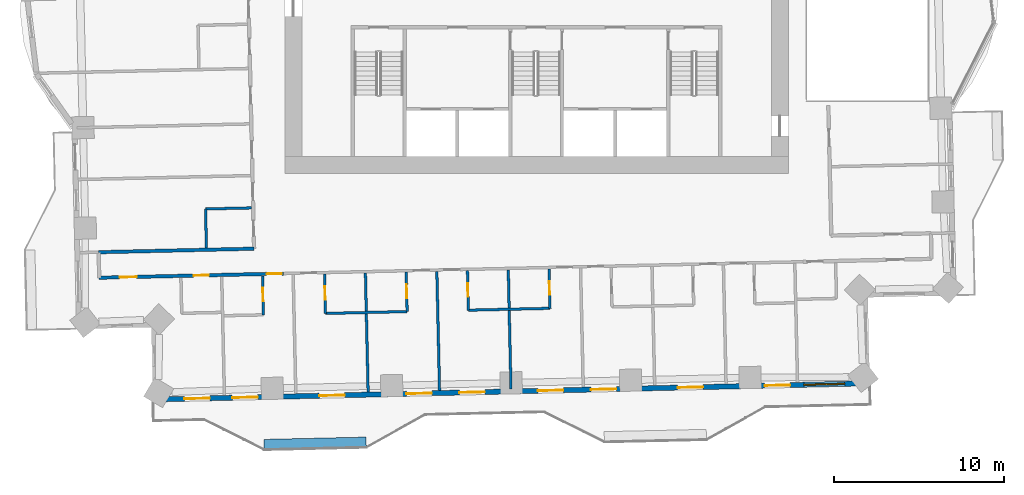
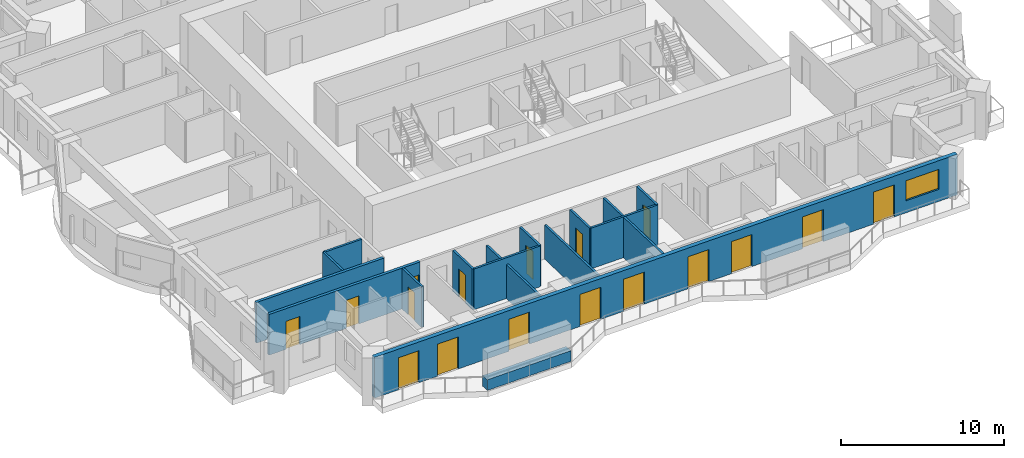
# One storey, part 6 of 16: 17 doors, 16 walls, 1 window, 18 openings.
"""IFC4 building model written with IfcOpenShell, lengths in metres."""

from ifc_helpers import new_model, si_unit, direction, frame, frame_2d, origin, place, context, subcontext, project, spatial, rectangle, extrude, material, layer, layer_set, type_object, element, fill, save


model = new_model("IFC4")

# Units and contexts
model_context = context("Model", 3, precision=1e-05, world=origin(), true_north=direction((0.0, 1.0)))
body_context = subcontext(model_context, "Body", "Model", "MODEL_VIEW")
ifc_project = project(units=[si_unit("LENGTHUNIT", "METRE"), si_unit("AREAUNIT", "SQUARE_METRE"), si_unit("VOLUMEUNIT", "CUBIC_METRE"), si_unit("PLANEANGLEUNIT", "RADIAN"), si_unit("MASSUNIT", "GRAM", prefix="KILO")], contexts=[model_context])

# Site, building, storey
site_placement = place(None, origin())
site = spatial("IfcSite", under=ifc_project, at=site_placement, CompositionType="ELEMENT")
building_placement = place(site_placement, origin())
building = spatial("IfcBuilding", under=site, at=building_placement, Name="Mangrove Gate Tower", CompositionType="ELEMENT")
storey_placement = place(building_placement, frame((0.0, 0.0, 133.699951171875)))
storey = spatial("IfcBuildingStorey", under=building, at=storey_placement, Name="L33", CompositionType="ELEMENT", Elevation=133.699951171875)

# Wall, openings, doors
ifc_material_1 = material(Name="Gypsum board on steel stud, EI 60", Category="steel")
ifc_layer_1 = layer(ifc_material_1, 0.199951171875)
ifc_layer_set_1 = layer_set([ifc_layer_1], Name="Corridor wall EI 60")
wall_type_1 = type_object("IfcWallType", Name="Corridor wall EI 60", PredefinedType="PARTITIONING", material=ifc_layer_set_1)
wall_1_placement = place(storey_placement, frame((-25.708984375, -17.9208984375, 0.0), z_axis=(0.0, 0.0, 1.0), x_axis=(0.999742764922, 0.022680475901, 0.0)))
wall_1 = element("IfcWall", 1, at=wall_1_placement, inside=storey, type_object=wall_type_1, Name="WALL-L33-029", PredefinedType="PARTITIONING", context=body_context, shape_type="SweptSolid", body=[
    extrude(rectangle(XDim=10.839599609375, YDim=0.199951171875, at=frame_2d((5.419921875, 0.0))), origin(), (0.0, 0.0, 1.0), 3.050048828125),
])
opening_1_placement = place(wall_1_placement, frame((1.199951171875, 0.0, 0.0)))
opening_1 = element("IfcOpeningElement", 2, at=opening_1_placement, cuts=wall_1, Name="Opening AD", PredefinedType="OPENING", context=body_context, shape_type="SweptSolid", body=[
    extrude(rectangle(XDim=1.0, YDim=2.10009765625, at=frame_2d((0.5, 1.050048828125))), frame((0.0, 0.10986328125, 0.0), z_axis=(0.0, -1.0, 0.0), x_axis=(1.0, 0.0, 0.0)), (0.0, 0.0, 1.0), 0.219970703125),
])
opening_2_placement = place(wall_1_placement, frame((5.550048828125, 0.0, 0.0)))
opening_2 = element("IfcOpeningElement", 3, at=opening_2_placement, cuts=wall_1, Name="Opening SD", PredefinedType="OPENING", context=body_context, shape_type="SweptSolid", body=[
    extrude(rectangle(XDim=0.89990234375, YDim=2.10009765625, at=frame_2d((0.449951171875, 1.050048828125))), frame((0.0, 0.10986328125, 0.0), z_axis=(0.0, -1.0, 0.0), x_axis=(1.0, 0.0, 0.0)), (0.0, 0.0, 1.0), 0.219970703125),
])
opening_3_placement = place(wall_1_placement, frame((9.840087890625, 0.0, 0.0)))
opening_3 = element("IfcOpeningElement", 4, at=opening_3_placement, cuts=wall_1, Name="Opening BD", PredefinedType="OPENING", context=body_context, shape_type="SweptSolid", body=[
    extrude(rectangle(XDim=0.89990234375, YDim=2.10009765625, at=frame_2d((0.449951171875, 1.050048828125))), frame((0.0, 0.10986328125, 0.0), z_axis=(0.0, -1.0, 0.0), x_axis=(1.0, 0.0, 0.0)), (0.0, 0.0, 1.0), 0.219970703125),
])
ifc_material_2 = material(Name="Timber door leaf", Category="wood")
door_type_1 = type_object("IfcDoorType", Name="Amenity door 1000", OperationType="SINGLE_SWING_LEFT", PredefinedType="DOOR", material=ifc_material_2)
door_1_placement = place(opening_1_placement, origin())
door_1 = element("IfcDoor", 5, at=door_1_placement, inside=storey, type_object=door_type_1, Name="DOOR-L33-STU-c1a", OperationType="SINGLE_SWING_LEFT", OverallHeight=2.10009765625, OverallWidth=1.0, PredefinedType="DOOR", context=body_context, shape_type="SweptSolid", body=[
    extrude(rectangle(XDim=1.0, YDim=2.10009765625, at=frame_2d((0.5, 1.050048828125))), frame((0.0, 0.02490234375, 0.0), z_axis=(0.0, -1.0, 0.0), x_axis=(1.0, 0.0, 0.0)), (0.0, 0.0, 1.0), 0.050048828125),
])
fill(opening_1, door_1)
ifc_material_3 = material(Name="Timber door leaf", Category="wood")
door_type_2 = type_object("IfcDoorType", Name="Bedroom door 900", OperationType="SINGLE_SWING_LEFT", PredefinedType="DOOR", material=ifc_material_3)
door_2_placement = place(opening_3_placement, origin())
door_2 = element("IfcDoor", 6, at=door_2_placement, inside=storey, type_object=door_type_2, Name="DOOR-L33-BED-c101", OperationType="SINGLE_SWING_LEFT", OverallHeight=2.10009765625, OverallWidth=0.89990234375, PredefinedType="DOOR", context=body_context, shape_type="SweptSolid", body=[
    extrude(rectangle(XDim=0.89990234375, YDim=2.10009765625, at=frame_2d((0.449951171875, 1.050048828125))), frame((0.0, 0.02490234375, 0.0), z_axis=(0.0, -1.0, 0.0), x_axis=(1.0, 0.0, 0.0)), (0.0, 0.0, 1.0), 0.050048828125),
])
fill(opening_3, door_2)
ifc_material_4 = material(Name="Timber door leaf", Category="wood")
door_type_3 = type_object("IfcDoorType", Name="Service room door 900", OperationType="SINGLE_SWING_LEFT", PredefinedType="DOOR", material=ifc_material_4)
door_3_placement = place(opening_2_placement, origin())
door_3 = element("IfcDoor", 7, at=door_3_placement, inside=storey, type_object=door_type_3, Name="DOOR-L33-LIN-c1a", OperationType="SINGLE_SWING_LEFT", OverallHeight=2.10009765625, OverallWidth=0.89990234375, PredefinedType="DOOR", context=body_context, shape_type="SweptSolid", body=[
    extrude(rectangle(XDim=0.89990234375, YDim=2.10009765625, at=frame_2d((0.449951171875, 1.050048828125))), frame((0.0, 0.02490234375, 0.0), z_axis=(0.0, -1.0, 0.0), x_axis=(1.0, 0.0, 0.0)), (0.0, 0.0, 1.0), 0.050048828125),
])
fill(opening_2, door_3)

# Wall
wall_2_placement = place(storey_placement, frame((-25.742919921875, -16.422119140625, 0.0), z_axis=(0.0, 0.0, 1.0), x_axis=(0.999741076645, 0.022754772455, 0.0)))
element("IfcWall", 8, at=wall_2_placement, inside=storey, type_object=wall_type_1, Name="WALL-L33-036", PredefinedType="PARTITIONING", context=body_context, shape_type="SweptSolid", body=[
    extrude(rectangle(XDim=9.141357421875, YDim=0.199951171875, at=frame_2d((4.57080078125, 0.0))), origin(), (0.0, 0.0, 1.0), 3.050048828125),
])

# Wall, openings, doors, window
ifc_material_5 = material(Name="Limestone", Category="masonry")
ifc_layer_2 = layer(ifc_material_5, 0.0400390625, Name="Limestone cladding")
ifc_material_6 = material(Name="Ventilated air gap")
ifc_layer_3 = layer(ifc_material_6, 0.0400390625, Name="Ventilated cavity")
ifc_material_7 = material(Name="Mineral wool insulation")
ifc_layer_4 = layer(ifc_material_7, 0.06005859375, Name="Insulation")
ifc_material_8 = material(Name="Breather membrane")
ifc_layer_5 = layer(ifc_material_8, 0.001953125, Name="Breather membrane")
ifc_material_9 = material(Name="Concrete C20/25 blockwork", Category="masonry")
ifc_layer_6 = layer(ifc_material_9, 0.14990234375, Name="Blockwork backing wall")
ifc_material_10 = material(Name="Gypsum plaster")
ifc_layer_7 = layer(ifc_material_10, 0.008056640625, Name="Internal plaster")
ifc_layer_set_2 = layer_set([ifc_layer_2, ifc_layer_3, ifc_layer_4, ifc_layer_5, ifc_layer_6, ifc_layer_7], Name="External wall 300 limestone cladding")
wall_type_2 = type_object("IfcWallType", Name="External wall 300 limestone cladding", PredefinedType="SOLIDWALL", material=ifc_layer_set_2)
wall_3_placement = place(storey_placement, frame((-22.39599609375, -25.077880859375, 0.0), z_axis=(0.0, 0.0, 1.0), x_axis=(0.99974279854, 0.022678993965, 0.0)))
wall_3 = element("IfcWall", 9, at=wall_3_placement, inside=storey, type_object=wall_type_2, Name="WALL-L33-S13", PredefinedType="SOLIDWALL", context=body_context, shape_type="SweptSolid", body=[
    extrude(rectangle(XDim=41.84375, YDim=0.300048828125, at=frame_2d((20.921875, 0.0))), origin(), (0.0, 0.0, 1.0), 3.050048828125),
])
opening_4_placement = place(wall_3_placement, frame((1.696044921875, 0.0, 0.0)))
opening_4 = element("IfcOpeningElement", 10, at=opening_4_placement, cuts=wall_3, Name="Opening BD1", PredefinedType="OPENING", context=body_context, shape_type="SweptSolid", body=[
    extrude(rectangle(XDim=1.5, YDim=2.39990234375, at=frame_2d((0.75, 1.199951171875))), frame((0.0, 0.159912109375, 0.0), z_axis=(0.0, -1.0, 0.0), x_axis=(1.0, 0.0, 0.0)), (0.0, 0.0, 1.0), 0.320068359375),
])
opening_5_placement = place(wall_3_placement, frame((4.511962890625, 0.0, 0.0)))
opening_5 = element("IfcOpeningElement", 11, at=opening_5_placement, cuts=wall_3, Name="Opening BD1", PredefinedType="OPENING", context=body_context, shape_type="SweptSolid", body=[
    extrude(rectangle(XDim=1.5, YDim=2.39990234375, at=frame_2d((0.75, 1.199951171875))), frame((0.0, 0.159912109375, 0.0), z_axis=(0.0, -1.0, 0.0), x_axis=(1.0, 0.0, 0.0)), (0.0, 0.0, 1.0), 0.320068359375),
])
opening_6_placement = place(wall_3_placement, frame((9.625, 0.0, 0.0)))
opening_6 = element("IfcOpeningElement", 12, at=opening_6_placement, cuts=wall_3, Name="Opening BD1", PredefinedType="OPENING", context=body_context, shape_type="SweptSolid", body=[
    extrude(rectangle(XDim=1.5, YDim=2.39990234375, at=frame_2d((0.75, 1.199951171875))), frame((0.0, 0.159912109375, 0.0), z_axis=(0.0, -1.0, 0.0), x_axis=(1.0, 0.0, 0.0)), (0.0, 0.0, 1.0), 0.320068359375),
])
opening_7_placement = place(wall_3_placement, frame((14.7490234375, 0.0, 0.0)))
opening_7 = element("IfcOpeningElement", 13, at=opening_7_placement, cuts=wall_3, Name="Opening BD1", PredefinedType="OPENING", context=body_context, shape_type="SweptSolid", body=[
    extrude(rectangle(XDim=1.5, YDim=2.39990234375, at=frame_2d((0.75, 1.199951171875))), frame((0.0, 0.159912109375, 0.0), z_axis=(0.0, -1.0, 0.0), x_axis=(1.0, 0.0, 0.0)), (0.0, 0.0, 1.0), 0.320068359375),
])
opening_8_placement = place(wall_3_placement, frame((17.861083984375, 0.0, 0.0)))
opening_8 = element("IfcOpeningElement", 14, at=opening_8_placement, cuts=wall_3, Name="Opening BD1", PredefinedType="OPENING", context=body_context, shape_type="SweptSolid", body=[
    extrude(rectangle(XDim=1.5, YDim=2.39990234375, at=frame_2d((0.75, 1.199951171875))), frame((0.0, 0.159912109375, 0.0), z_axis=(0.0, -1.0, 0.0), x_axis=(1.0, 0.0, 0.0)), (0.0, 0.0, 1.0), 0.320068359375),
])
opening_9_placement = place(wall_3_placement, frame((22.486083984375, 0.0, 0.0)))
opening_9 = element("IfcOpeningElement", 15, at=opening_9_placement, cuts=wall_3, Name="Opening BD1", PredefinedType="OPENING", context=body_context, shape_type="SweptSolid", body=[
    extrude(rectangle(XDim=1.5, YDim=2.39990234375, at=frame_2d((0.75, 1.199951171875))), frame((0.0, 0.159912109375, 0.0), z_axis=(0.0, -1.0, 0.0), x_axis=(1.0, 0.0, 0.0)), (0.0, 0.0, 1.0), 0.320068359375),
])
opening_10_placement = place(wall_3_placement, frame((25.597900390625, 0.0, 0.0)))
opening_10 = element("IfcOpeningElement", 16, at=opening_10_placement, cuts=wall_3, Name="Opening BD1", PredefinedType="OPENING", context=body_context, shape_type="SweptSolid", body=[
    extrude(rectangle(XDim=1.5, YDim=2.39990234375, at=frame_2d((0.75, 1.199951171875))), frame((0.0, 0.159912109375, 0.0), z_axis=(0.0, -1.0, 0.0), x_axis=(1.0, 0.0, 0.0)), (0.0, 0.0, 1.0), 0.320068359375),
])
opening_11_placement = place(wall_3_placement, frame((30.699951171875, 0.0, 0.0)))
opening_11 = element("IfcOpeningElement", 17, at=opening_11_placement, cuts=wall_3, Name="Opening BD1", PredefinedType="OPENING", context=body_context, shape_type="SweptSolid", body=[
    extrude(rectangle(XDim=1.5, YDim=2.39990234375, at=frame_2d((0.75, 1.199951171875))), frame((0.0, 0.159912109375, 0.0), z_axis=(0.0, -1.0, 0.0), x_axis=(1.0, 0.0, 0.0)), (0.0, 0.0, 1.0), 0.320068359375),
])
opening_12_placement = place(wall_3_placement, frame((35.81005859375, 0.0, 0.0)))
opening_12 = element("IfcOpeningElement", 18, at=opening_12_placement, cuts=wall_3, Name="Opening BD1", PredefinedType="OPENING", context=body_context, shape_type="SweptSolid", body=[
    extrude(rectangle(XDim=1.5, YDim=2.39990234375, at=frame_2d((0.75, 1.199951171875))), frame((0.0, 0.159912109375, 0.0), z_axis=(0.0, -1.0, 0.0), x_axis=(1.0, 0.0, 0.0)), (0.0, 0.0, 1.0), 0.320068359375),
])
opening_13_placement = place(wall_3_placement, frame((38.1240234375, 0.0, 0.89990234375)))
opening_13 = element("IfcOpeningElement", 19, at=opening_13_placement, cuts=wall_3, Name="Opening W2", PredefinedType="OPENING", context=body_context, shape_type="SweptSolid", body=[
    extrude(rectangle(XDim=2.39990234375, YDim=1.5, at=frame_2d((1.199951171875, 0.75))), frame((0.0, 0.159912109375, 0.0), z_axis=(0.0, -1.0, 0.0), x_axis=(1.0, 0.0, 0.0)), (0.0, 0.0, 1.0), 0.320068359375),
])
ifc_material_11 = material(Name="Aluminium frame with laminated clear glass", Category="aluminium")
door_type_4 = type_object("IfcDoorType", Name="Balcony sliding door 1500x2400", OperationType="SLIDING_TO_LEFT", PredefinedType="DOOR", material=ifc_material_11)
door_4_placement = place(opening_4_placement, origin())
door_4 = element("IfcDoor", 20, at=door_4_placement, inside=storey, type_object=door_type_4, Name="DOOR-L33-S13-1", OperationType="SLIDING_TO_LEFT", OverallHeight=2.39990234375, OverallWidth=1.5, PredefinedType="DOOR", context=body_context, shape_type="SweptSolid", body=[
    extrude(rectangle(XDim=1.5, YDim=2.39990234375, at=frame_2d((0.75, 1.199951171875))), frame((0.0, 0.02490234375, 0.0), z_axis=(0.0, -1.0, 0.0), x_axis=(1.0, 0.0, 0.0)), (0.0, 0.0, 1.0), 0.050048828125),
])
fill(opening_4, door_4)
door_5_placement = place(opening_5_placement, origin())
door_5 = element("IfcDoor", 21, at=door_5_placement, inside=storey, type_object=door_type_4, Name="DOOR-L33-S13-2", OperationType="SLIDING_TO_LEFT", OverallHeight=2.39990234375, OverallWidth=1.5, PredefinedType="DOOR", context=body_context, shape_type="SweptSolid", body=[
    extrude(rectangle(XDim=1.5, YDim=2.39990234375, at=frame_2d((0.75, 1.199951171875))), frame((0.0, 0.02490234375, 0.0), z_axis=(0.0, -1.0, 0.0), x_axis=(1.0, 0.0, 0.0)), (0.0, 0.0, 1.0), 0.050048828125),
])
fill(opening_5, door_5)
door_6_placement = place(opening_6_placement, origin())
door_6 = element("IfcDoor", 22, at=door_6_placement, inside=storey, type_object=door_type_4, Name="DOOR-L33-S13-3", OperationType="SLIDING_TO_LEFT", OverallHeight=2.39990234375, OverallWidth=1.5, PredefinedType="DOOR", context=body_context, shape_type="SweptSolid", body=[
    extrude(rectangle(XDim=1.5, YDim=2.39990234375, at=frame_2d((0.75, 1.199951171875))), frame((0.0, 0.02490234375, 0.0), z_axis=(0.0, -1.0, 0.0), x_axis=(1.0, 0.0, 0.0)), (0.0, 0.0, 1.0), 0.050048828125),
])
fill(opening_6, door_6)
door_7_placement = place(opening_7_placement, origin())
door_7 = element("IfcDoor", 23, at=door_7_placement, inside=storey, type_object=door_type_4, Name="DOOR-L33-S13-4", OperationType="SLIDING_TO_LEFT", OverallHeight=2.39990234375, OverallWidth=1.5, PredefinedType="DOOR", context=body_context, shape_type="SweptSolid", body=[
    extrude(rectangle(XDim=1.5, YDim=2.39990234375, at=frame_2d((0.75, 1.199951171875))), frame((0.0, 0.02490234375, 0.0), z_axis=(0.0, -1.0, 0.0), x_axis=(1.0, 0.0, 0.0)), (0.0, 0.0, 1.0), 0.050048828125),
])
fill(opening_7, door_7)
door_8_placement = place(opening_8_placement, origin())
door_8 = element("IfcDoor", 24, at=door_8_placement, inside=storey, type_object=door_type_4, Name="DOOR-L33-S13-5", OperationType="SLIDING_TO_LEFT", OverallHeight=2.39990234375, OverallWidth=1.5, PredefinedType="DOOR", context=body_context, shape_type="SweptSolid", body=[
    extrude(rectangle(XDim=1.5, YDim=2.39990234375, at=frame_2d((0.75, 1.199951171875))), frame((0.0, 0.02490234375, 0.0), z_axis=(0.0, -1.0, 0.0), x_axis=(1.0, 0.0, 0.0)), (0.0, 0.0, 1.0), 0.050048828125),
])
fill(opening_8, door_8)
door_9_placement = place(opening_9_placement, origin())
door_9 = element("IfcDoor", 25, at=door_9_placement, inside=storey, type_object=door_type_4, Name="DOOR-L33-S13-6", OperationType="SLIDING_TO_LEFT", OverallHeight=2.39990234375, OverallWidth=1.5, PredefinedType="DOOR", context=body_context, shape_type="SweptSolid", body=[
    extrude(rectangle(XDim=1.5, YDim=2.39990234375, at=frame_2d((0.75, 1.199951171875))), frame((0.0, 0.02490234375, 0.0), z_axis=(0.0, -1.0, 0.0), x_axis=(1.0, 0.0, 0.0)), (0.0, 0.0, 1.0), 0.050048828125),
])
fill(opening_9, door_9)
door_10_placement = place(opening_10_placement, origin())
door_10 = element("IfcDoor", 26, at=door_10_placement, inside=storey, type_object=door_type_4, Name="DOOR-L33-S13-7", OperationType="SLIDING_TO_LEFT", OverallHeight=2.39990234375, OverallWidth=1.5, PredefinedType="DOOR", context=body_context, shape_type="SweptSolid", body=[
    extrude(rectangle(XDim=1.5, YDim=2.39990234375, at=frame_2d((0.75, 1.199951171875))), frame((0.0, 0.02490234375, 0.0), z_axis=(0.0, -1.0, 0.0), x_axis=(1.0, 0.0, 0.0)), (0.0, 0.0, 1.0), 0.050048828125),
])
fill(opening_10, door_10)
door_11_placement = place(opening_11_placement, origin())
door_11 = element("IfcDoor", 27, at=door_11_placement, inside=storey, type_object=door_type_4, Name="DOOR-L33-S13-8", OperationType="SLIDING_TO_LEFT", OverallHeight=2.39990234375, OverallWidth=1.5, PredefinedType="DOOR", context=body_context, shape_type="SweptSolid", body=[
    extrude(rectangle(XDim=1.5, YDim=2.39990234375, at=frame_2d((0.75, 1.199951171875))), frame((0.0, 0.02490234375, 0.0), z_axis=(0.0, -1.0, 0.0), x_axis=(1.0, 0.0, 0.0)), (0.0, 0.0, 1.0), 0.050048828125),
])
fill(opening_11, door_11)
door_12_placement = place(opening_12_placement, origin())
door_12 = element("IfcDoor", 28, at=door_12_placement, inside=storey, type_object=door_type_4, Name="DOOR-L33-S13-9", OperationType="SLIDING_TO_LEFT", OverallHeight=2.39990234375, OverallWidth=1.5, PredefinedType="DOOR", context=body_context, shape_type="SweptSolid", body=[
    extrude(rectangle(XDim=1.5, YDim=2.39990234375, at=frame_2d((0.75, 1.199951171875))), frame((0.0, 0.02490234375, 0.0), z_axis=(0.0, -1.0, 0.0), x_axis=(1.0, 0.0, 0.0)), (0.0, 0.0, 1.0), 0.050048828125),
])
fill(opening_12, door_12)
ifc_material_12 = material(Name="Aluminium frame with double-glazed low-e glass", Category="aluminium")
window_type = type_object("IfcWindowType", Name="Corner room window 2400x1500", PartitioningType="DOUBLE_PANEL_VERTICAL", PredefinedType="WINDOW", material=ifc_material_12)
window_placement = place(opening_13_placement, origin())
window = element("IfcWindow", 29, at=window_placement, inside=storey, type_object=window_type, Name="WIN-L33-S13-10", OverallHeight=1.5, OverallWidth=2.39990234375, PartitioningType="DOUBLE_PANEL_VERTICAL", PredefinedType="WINDOW", context=body_context, shape_type="SweptSolid", body=[
    extrude(rectangle(XDim=2.39990234375, YDim=1.5, at=frame_2d((1.199951171875, 0.75))), frame((0.0, 0.030029296875, 0.0), z_axis=(0.0, -1.0, 0.0), x_axis=(1.0, 0.0, 0.0)), (0.0, 0.0, 1.0), 0.06005859375),
])
fill(opening_13, window)

# Walls
ifc_material_13 = material(Name="Gypsum board on steel stud, EI 60", Category="steel")
ifc_layer_8 = layer(ifc_material_13, 0.14990234375)
ifc_layer_set_3 = layer_set([ifc_layer_8], Name="Party wall 150 EI 60")
wall_type_3 = type_object("IfcWallType", Name="Party wall 150 EI 60", PredefinedType="PARTITIONING", material=ifc_layer_set_3)
wall_4_placement = place(storey_placement, frame((-9.89990234375, -24.64501953125, 0.0), z_axis=(0.0, 0.0, 1.0), x_axis=(-0.022734078158, 0.999741547446, 0.0)))
element("IfcWall", 30, at=wall_4_placement, inside=storey, type_object=wall_type_3, Name="WALL-L33-003", PredefinedType="PARTITIONING", context=body_context, shape_type="SweptSolid", body=[
    extrude(rectangle(XDim=7.001708984375, YDim=0.14990234375, at=frame_2d((3.5009765625, 0.0))), origin(), (0.0, 0.0, 1.0), 2.550048828125),
])
wall_5_placement = place(storey_placement, frame((-5.701904296875, -24.549072265625, 0.0), z_axis=(0.0, 0.0, 1.0), x_axis=(-0.022597827698, 0.999744636486, 0.0)))
element("IfcWall", 31, at=wall_5_placement, inside=storey, type_object=wall_type_3, Name="WALL-L33-004", PredefinedType="PARTITIONING", context=body_context, shape_type="SweptSolid", body=[
    extrude(rectangle(XDim=7.000732421875, YDim=0.14990234375, at=frame_2d((3.50048828125, 0.0))), origin(), (0.0, 0.0, 1.0), 2.550048828125),
])
wall_6_placement = place(storey_placement, frame((-1.5029296875, -24.4541015625, 0.0), z_axis=(0.0, 0.0, 1.0), x_axis=(-0.02255982614, 0.999745494736, 0.0)))
element("IfcWall", 32, at=wall_6_placement, inside=storey, type_object=wall_type_3, Name="WALL-L33-005", PredefinedType="PARTITIONING", context=body_context, shape_type="SweptSolid", body=[
    extrude(rectangle(XDim=7.001708984375, YDim=0.14990234375, at=frame_2d((3.5009765625, 0.0))), origin(), (0.0, 0.0, 1.0), 3.050048828125),
])

# Wall, opening, door
wall_7_placement = place(storey_placement, frame((-16.054931640625, -20.10693359375, 0.0), z_axis=(0.0, 0.0, 1.0), x_axis=(-0.022603288534, 0.999744513037, 0.0)))
wall_7 = element("IfcWall", 33, at=wall_7_placement, inside=storey, type_object=wall_type_3, Name="WALL-L33-010", PredefinedType="PARTITIONING", context=body_context, shape_type="SweptSolid", body=[
    extrude(rectangle(XDim=2.300537109375, YDim=0.14990234375, at=frame_2d((1.150390625, 0.0))), origin(), (0.0, 0.0, 1.0), 3.050048828125),
])
opening_14_placement = place(wall_7_placement, frame((0.800048828125, 0.0, 0.0)))
opening_14 = element("IfcOpeningElement", 34, at=opening_14_placement, cuts=wall_7, Name="Opening ED", PredefinedType="OPENING", context=body_context, shape_type="SweptSolid", body=[
    extrude(rectangle(XDim=0.800048828125, YDim=2.10009765625, at=frame_2d((0.39990234375, 1.050048828125))), frame((0.0, 0.0849609375, 0.0), z_axis=(0.0, -1.0, 0.0), x_axis=(1.0, 0.0, 0.0)), (0.0, 0.0, 1.0), 0.169921875),
])
ifc_material_14 = material(Name="Timber door leaf", Category="wood")
door_type_5 = type_object("IfcDoorType", Name="En-suite door 800", OperationType="SINGLE_SWING_LEFT", PredefinedType="DOOR", material=ifc_material_14)
door_13_placement = place(opening_14_placement, origin())
door_13 = element("IfcDoor", 35, at=door_13_placement, inside=storey, type_object=door_type_5, Name="DOOR-L33-ENS-c101", OperationType="SINGLE_SWING_LEFT", OverallHeight=2.10009765625, OverallWidth=0.800048828125, PredefinedType="DOOR", context=body_context, shape_type="SweptSolid", body=[
    extrude(rectangle(XDim=0.800048828125, YDim=2.10009765625, at=frame_2d((0.39990234375, 1.050048828125))), frame((0.0, 0.02490234375, 0.0), z_axis=(0.0, -1.0, 0.0), x_axis=(1.0, 0.0, 0.0)), (0.0, 0.0, 1.0), 0.050048828125),
])
fill(opening_14, door_13)

wall_8_placement = place(storey_placement, frame((-12.406005859375, -20.02392578125, 0.0), z_axis=(0.0, 0.0, 1.0), x_axis=(-0.022781023197, 0.999740478815, 0.0)))
wall_8 = element("IfcWall", 36, at=wall_8_placement, inside=storey, type_object=wall_type_3, Name="WALL-L33-011", PredefinedType="PARTITIONING", context=body_context, shape_type="SweptSolid", body=[
    extrude(rectangle(XDim=2.325439453125, YDim=0.14990234375, at=frame_2d((1.16259765625, 0.0))), origin(), (0.0, 0.0, 1.0), 3.050048828125),
])
opening_15_placement = place(wall_8_placement, frame((0.800048828125, 0.0, 0.0)))
opening_15 = element("IfcOpeningElement", 37, at=opening_15_placement, cuts=wall_8, Name="Opening ED", PredefinedType="OPENING", context=body_context, shape_type="SweptSolid", body=[
    extrude(rectangle(XDim=0.800048828125, YDim=2.10009765625, at=frame_2d((0.39990234375, 1.050048828125))), frame((0.0, 0.0849609375, 0.0), z_axis=(0.0, -1.0, 0.0), x_axis=(1.0, 0.0, 0.0)), (0.0, 0.0, 1.0), 0.169921875),
])
door_14_placement = place(opening_15_placement, origin())
door_14 = element("IfcDoor", 38, at=door_14_placement, inside=storey, type_object=door_type_5, Name="DOOR-L33-ENS-c102", OperationType="SINGLE_SWING_RIGHT", OverallHeight=2.10009765625, OverallWidth=0.800048828125, PredefinedType="DOOR", context=body_context, shape_type="SweptSolid", body=[
    extrude(rectangle(XDim=0.800048828125, YDim=2.10009765625, at=frame_2d((0.39990234375, 1.050048828125))), frame((0.0, 0.02490234375, 0.0), z_axis=(0.0, -1.0, 0.0), x_axis=(1.0, 0.0, 0.0)), (0.0, 0.0, 1.0), 0.050048828125),
])
fill(opening_15, door_14)

wall_9_placement = place(storey_placement, frame((-7.60693359375, -19.9150390625, 0.0), z_axis=(0.0, 0.0, 1.0), x_axis=(-0.02279059109, 0.999740260747, 0.0)))
wall_9 = element("IfcWall", 39, at=wall_9_placement, inside=storey, type_object=wall_type_3, Name="WALL-L33-012", PredefinedType="PARTITIONING", context=body_context, shape_type="SweptSolid", body=[
    extrude(rectangle(XDim=2.324462890625, YDim=0.14990234375, at=frame_2d((1.162109375, 0.0))), origin(), (0.0, 0.0, 1.0), 3.050048828125),
])
opening_16_placement = place(wall_9_placement, frame((0.800048828125, 0.0, 0.0)))
opening_16 = element("IfcOpeningElement", 40, at=opening_16_placement, cuts=wall_9, Name="Opening ED", PredefinedType="OPENING", context=body_context, shape_type="SweptSolid", body=[
    extrude(rectangle(XDim=0.800048828125, YDim=2.10009765625, at=frame_2d((0.39990234375, 1.050048828125))), frame((0.0, 0.0849609375, 0.0), z_axis=(0.0, -1.0, 0.0), x_axis=(1.0, 0.0, 0.0)), (0.0, 0.0, 1.0), 0.169921875),
])
door_15_placement = place(opening_16_placement, origin())
door_15 = element("IfcDoor", 41, at=door_15_placement, inside=storey, type_object=door_type_5, Name="DOOR-L33-ENS-c103", OperationType="SINGLE_SWING_LEFT", OverallHeight=2.10009765625, OverallWidth=0.800048828125, PredefinedType="DOOR", context=body_context, shape_type="SweptSolid", body=[
    extrude(rectangle(XDim=0.800048828125, YDim=2.10009765625, at=frame_2d((0.39990234375, 1.050048828125))), frame((0.0, 0.02490234375, 0.0), z_axis=(0.0, -1.0, 0.0), x_axis=(1.0, 0.0, 0.0)), (0.0, 0.0, 1.0), 0.050048828125),
])
fill(opening_16, door_15)

wall_10_placement = place(storey_placement, frame((-4.008056640625, -19.8330078125, 0.0), z_axis=(0.0, 0.0, 1.0), x_axis=(-0.02279059109, 0.999740260747, 0.0)))
wall_10 = element("IfcWall", 42, at=wall_10_placement, inside=storey, type_object=wall_type_3, Name="WALL-L33-013", PredefinedType="PARTITIONING", context=body_context, shape_type="SweptSolid", body=[
    extrude(rectangle(XDim=2.324462890625, YDim=0.14990234375, at=frame_2d((1.162109375, 0.0))), origin(), (0.0, 0.0, 1.0), 3.050048828125),
])
opening_17_placement = place(wall_10_placement, frame((0.800048828125, 0.0, 0.0)))
opening_17 = element("IfcOpeningElement", 43, at=opening_17_placement, cuts=wall_10, Name="Opening ED", PredefinedType="OPENING", context=body_context, shape_type="SweptSolid", body=[
    extrude(rectangle(XDim=0.800048828125, YDim=2.10009765625, at=frame_2d((0.39990234375, 1.050048828125))), frame((0.0, 0.0849609375, 0.0), z_axis=(0.0, -1.0, 0.0), x_axis=(1.0, 0.0, 0.0)), (0.0, 0.0, 1.0), 0.169921875),
])
door_16_placement = place(opening_17_placement, origin())
door_16 = element("IfcDoor", 44, at=door_16_placement, inside=storey, type_object=door_type_5, Name="DOOR-L33-ENS-c204", OperationType="SINGLE_SWING_RIGHT", OverallHeight=2.10009765625, OverallWidth=0.800048828125, PredefinedType="DOOR", context=body_context, shape_type="SweptSolid", body=[
    extrude(rectangle(XDim=0.800048828125, YDim=2.10009765625, at=frame_2d((0.39990234375, 1.050048828125))), frame((0.0, 0.02490234375, 0.0), z_axis=(0.0, -1.0, 0.0), x_axis=(1.0, 0.0, 0.0)), (0.0, 0.0, 1.0), 0.050048828125),
])
fill(opening_17, door_16)

wall_11_placement = place(storey_placement, frame((0.791015625, -19.72412109375, 0.0), z_axis=(0.0, 0.0, 1.0), x_axis=(-0.022788198363, 0.99974031529, 0.0)))
wall_11 = element("IfcWall", 45, at=wall_11_placement, inside=storey, type_object=wall_type_3, Name="WALL-L33-014", PredefinedType="PARTITIONING", context=body_context, shape_type="SweptSolid", body=[
    extrude(rectangle(XDim=2.32470703125, YDim=0.14990234375, at=frame_2d((1.162353515625, 0.0))), origin(), (0.0, 0.0, 1.0), 3.050048828125),
])
opening_18_placement = place(wall_11_placement, frame((0.800048828125, 0.0, 0.0)))
opening_18 = element("IfcOpeningElement", 46, at=opening_18_placement, cuts=wall_11, Name="Opening ED", PredefinedType="OPENING", context=body_context, shape_type="SweptSolid", body=[
    extrude(rectangle(XDim=0.800048828125, YDim=2.10009765625, at=frame_2d((0.39990234375, 1.050048828125))), frame((0.0, 0.0849609375, 0.0), z_axis=(0.0, -1.0, 0.0), x_axis=(1.0, 0.0, 0.0)), (0.0, 0.0, 1.0), 0.169921875),
])
door_17_placement = place(opening_18_placement, origin())
door_17 = element("IfcDoor", 47, at=door_17_placement, inside=storey, type_object=door_type_5, Name="DOOR-L33-ENS-c205", OperationType="SINGLE_SWING_LEFT", OverallHeight=2.10009765625, OverallWidth=0.800048828125, PredefinedType="DOOR", context=body_context, shape_type="SweptSolid", body=[
    extrude(rectangle(XDim=0.800048828125, YDim=2.10009765625, at=frame_2d((0.39990234375, 1.050048828125))), frame((0.0, 0.02490234375, 0.0), z_axis=(0.0, -1.0, 0.0), x_axis=(1.0, 0.0, 0.0)), (0.0, 0.0, 1.0), 0.050048828125),
])
fill(opening_18, door_17)

# Walls
for number, where, z_axis, x_axis, name in (
    (48, (-12.407958984375, -20.02001953125, 0.0), (0.0, 0.0, 1.0), (0.99974154664, 0.022734113616, 0.0), "WALL-L33-019"),
    (49, (-4.010009765625, -19.8291015625, 0.0), (0.0, 0.0, 1.0), (0.99974154664, 0.022734113616, 0.0), "WALL-L33-020"),
):
    element("IfcWall", number, at=place(storey_placement, frame(where, z_axis=z_axis, x_axis=x_axis)), inside=storey, type_object=wall_type_3, Name=name, PredefinedType="PARTITIONING", context=body_context, shape_type="SweptSolid", body=[
        extrude(rectangle(XDim=4.80029296875, YDim=0.14990234375, at=frame_2d((2.400146484375, 0.0))), origin(), (0.0, 0.0, 1.0), 3.050048828125),
    ])
wall_12_placement = place(storey_placement, frame((-19.405029296875, -16.181884765625, 0.0), z_axis=(0.0, 0.0, 1.0), x_axis=(-0.022605686808, 0.999744458811, 0.0)))
element("IfcWall", 50, at=wall_12_placement, inside=storey, type_object=wall_type_3, Name="WALL-L33-032", PredefinedType="PARTITIONING", context=body_context, shape_type="SweptSolid", body=[
    extrude(rectangle(XDim=2.30029296875, YDim=0.14990234375, at=frame_2d((1.150146484375, 0.0))), origin(), (0.0, 0.0, 1.0), 3.050048828125),
])
wall_13_placement = place(storey_placement, frame((-19.4580078125, -13.8779296875, 0.0), z_axis=(0.0, 0.0, 1.0), x_axis=(0.999744396973, 0.02260842146, 0.0)))
element("IfcWall", 51, at=wall_13_placement, inside=storey, type_object=wall_type_3, Name="WALL-L33-039", PredefinedType="PARTITIONING", context=body_context, shape_type="SweptSolid", body=[
    extrude(rectangle(XDim=2.69970703125, YDim=0.14990234375, at=frame_2d((1.349853515625, 0.0))), origin(), (0.0, 0.0, 1.0), 3.050048828125),
])
ifc_material_15 = material(Name="Concrete C32/40", Category="concrete")
ifc_layer_9 = layer(ifc_material_15, 0.199951171875, Name="Planter trough wall")
ifc_material_16 = material(Name="Bituminous waterproofing membrane")
ifc_layer_10 = layer(ifc_material_16, 0.0048828125, Name="Waterproofing")
ifc_material_17 = material(Name="Drainage board and gravel")
ifc_layer_11 = layer(ifc_material_17, 0.044921875, Name="Drainage layer")
ifc_material_18 = material(Name="Planting soil")
ifc_layer_12 = layer(ifc_material_18, 0.300048828125, Name="Growing medium")
ifc_layer_set_4 = layer_set([ifc_layer_9, ifc_layer_10, ifc_layer_11, ifc_layer_12], Name="Planter wall 550 C32/40")
wall_type_4 = type_object("IfcWallType", Name="Planter wall 550 C32/40", PredefinedType="USERDEFINED", material=ifc_layer_set_4)
wall_14_placement = place(storey_placement, frame((-16.011962890625, -27.698974609375, 0.0), z_axis=(0.0, 0.0, 1.0), x_axis=(0.999743094499, 0.022665943652, 0.0)))
element("IfcWall", 52, at=wall_14_placement, inside=storey, type_object=wall_type_4, Name="PLANTER L33 S0.1", ObjectType="PLANTER", PredefinedType="USERDEFINED", context=body_context, shape_type="SweptSolid", body=[
    extrude(rectangle(XDim=5.99951171875, YDim=0.550048828125, at=frame_2d((2.999755859375, 0.0))), origin(), (0.0, 0.0, 1.0), 0.800048828125),
])

save(model, "model.ifc")
